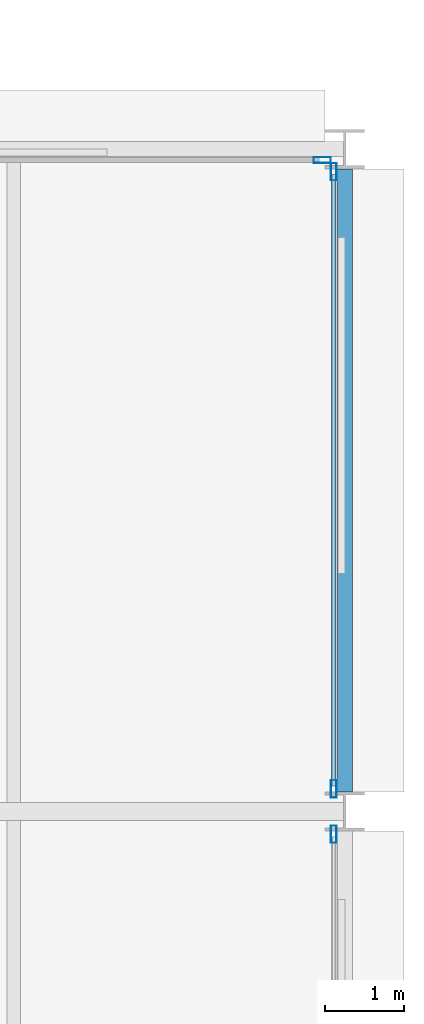
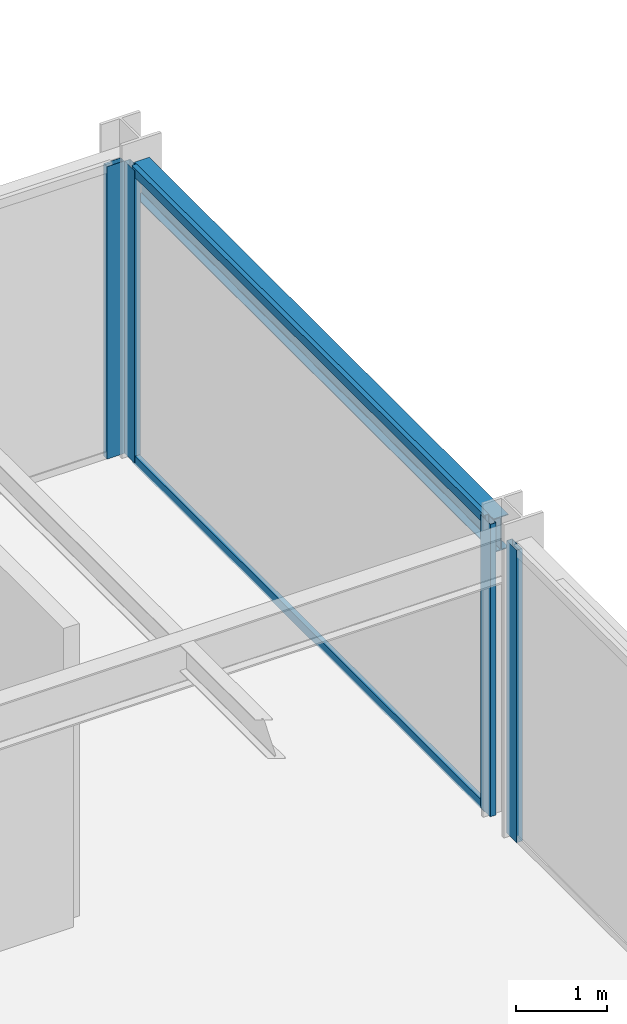
# One storey, part 13 of 25: 6 members, 1 beam, 3 elements without a shape of their own.
"""IFC4 building model written with IfcOpenShell, lengths in metres."""

from ifc_helpers import new_model, si_unit, direction, frame, origin, origin_2d, place, context, subcontext, project, spatial, hollow_rectangle, i_section, extrude, material, layer, layer_set, material_profile, profile_set, type_object, element, aggregate, save


model = new_model("IFC4")

# Units and contexts
model_context = context("Model", 3, precision=1e-05, world=origin(), true_north=direction((0.0, 1.0)))
body_context = subcontext(model_context, "Body", "Model", "MODEL_VIEW")
ifc_project = project(units=[si_unit("LENGTHUNIT", "METRE"), si_unit("AREAUNIT", "SQUARE_METRE"), si_unit("VOLUMEUNIT", "CUBIC_METRE"), si_unit("PLANEANGLEUNIT", "RADIAN"), si_unit("MASSUNIT", "GRAM", prefix="KILO")], contexts=[model_context])

# Site, building, storey
site_placement = place(None, origin())
site = spatial("IfcSite", under=ifc_project, at=site_placement, CompositionType="ELEMENT")
building_placement = place(site_placement, origin())
building = spatial("IfcBuilding", under=site, at=building_placement, Name="Nerrivon Quay Data Exchange", CompositionType="ELEMENT")
storey_placement = place(building_placement, frame((0.0, 0.0, 29.0)))
storey = spatial("IfcBuildingStorey", under=building, at=storey_placement, Name="L06", CompositionType="ELEMENT", Elevation=29.0)

# Beam
ifc_material_1 = material(Name="Steel Grade 350", Category="steel")
ifc_material_profile_1 = material_profile(ifc_material_1, i_section(OverallWidth=0.18994140625, OverallDepth=0.4541015625, WebThickness=0.008544921875, FlangeThickness=0.0126953125, FilletRadius=0.011474609375, at=origin_2d()), Name="460UB67.1")
ifc_profile_set_1 = profile_set([ifc_material_profile_1], Name="Steel Grade 350")
beam_type = type_object("IfcBeamType", Name="BM-SP1-460UB67", PredefinedType="SPANDREL", material=ifc_profile_set_1)
beam_placement = place(storey_placement, frame((50.39990234375, 17.050048828125, 3.697998046875), z_axis=(0.0, 1.0, 0.0), x_axis=(-1.0, 0.0, 0.0)))
element("IfcBeam", 1, at=beam_placement, inside=storey, type_object=beam_type, Name="L06 NS Girder X=50.4 (16.8..25.2)", PredefinedType="SPANDREL", context=body_context, shape_type="SweptSolid", body=[
    extrude(i_section(OverallWidth=0.18994140625, OverallDepth=0.4541015625, WebThickness=0.008544921875, FlangeThickness=0.0126953125, FilletRadius=0.011474609375, at=origin_2d()), origin(), (0.0, 0.0, 1.0), 7.89990234375),
])

# Curtain wall, member
ifc_material_2 = material(Name="Anodised aluminium 6063-T6", Category="aluminium")
ifc_layer = layer(ifc_material_2, 0.219970703125)
ifc_layer_set = layer_set([ifc_layer], Name="Anodised aluminium 6063-T6")
curtain_wall_type = type_object("IfcCurtainWallType", Name="CW-SYS-01", PredefinedType="NOTDEFINED", material=ifc_layer_set)
curtain_wall_1_placement = place(storey_placement, origin())
curtain_wall_1 = element("IfcCurtainWall", 2, at=curtain_wall_1_placement, inside=storey, type_object=curtain_wall_type, Name="L06 Unitised Curtain Wall 30", PredefinedType="NOTDEFINED")
ifc_material_profile_2 = material_profile(ifc_material_2, hollow_rectangle(XDim=0.074951171875, YDim=0.219970703125, WallThickness=0.00390625, at=origin_2d()), Name="ALU-MULL-220x75")
ifc_profile_set_2 = profile_set([ifc_material_profile_2], Name="Anodised aluminium 6063-T6")
member_type_1 = type_object("IfcMemberType", Name="CWM-220x75", PredefinedType="MULLION", material=ifc_profile_set_2)
member_1_placement = place(storey_placement, frame((50.112548828125, 25.06005859375, 0.0), z_axis=(0.0, 0.0, 1.0), x_axis=(0.0, 1.0, 0.0)))
member_1 = element("IfcMember", 3, at=member_1_placement, type_object=member_type_1, Name="CW01 mullion 2", PredefinedType="MULLION", context=body_context, shape_type="SweptSolid", body=[
    extrude(hollow_rectangle(XDim=0.074951171875, YDim=0.219970703125, WallThickness=0.00390625, at=origin_2d()), origin(), (0.0, 0.0, 1.0), 3.925048828125),
])
aggregate(curtain_wall_1, [member_1])

# Curtain wall, members
curtain_wall_2_placement = place(storey_placement, origin())
curtain_wall_2 = element("IfcCurtainWall", 4, at=curtain_wall_2_placement, inside=storey, type_object=curtain_wall_type, Name="L06 Unitised Curtain Wall 31", PredefinedType="NOTDEFINED")
member_2_placement = place(storey_placement, frame((50.260009765625, 24.91259765625, 0.0), z_axis=(0.0, 0.0, 1.0), x_axis=(1.0, 0.0, 0.0)))
member_2 = element("IfcMember", 5, at=member_2_placement, type_object=member_type_1, Name="CW01 mullion 1", PredefinedType="MULLION", context=body_context, shape_type="SweptSolid", body=[
    extrude(hollow_rectangle(XDim=0.074951171875, YDim=0.219970703125, WallThickness=0.00390625, at=origin_2d()), origin(), (0.0, 0.0, 1.0), 3.925048828125),
])
member_3_placement = place(storey_placement, frame((50.260009765625, 17.08740234375, 0.0), z_axis=(0.0, 0.0, 1.0), x_axis=(1.0, 0.0, 0.0)))
member_3 = element("IfcMember", 6, at=member_3_placement, type_object=member_type_1, Name="CW01 mullion 2", PredefinedType="MULLION", context=body_context, shape_type="SweptSolid", body=[
    extrude(hollow_rectangle(XDim=0.074951171875, YDim=0.219970703125, WallThickness=0.00390625, at=origin_2d()), origin(), (0.0, 0.0, 1.0), 3.925048828125),
])

# Curtain wall, member
curtain_wall_3_placement = place(storey_placement, origin())
curtain_wall_3 = element("IfcCurtainWall", 7, at=curtain_wall_3_placement, inside=storey, type_object=curtain_wall_type, Name="L06 Unitised Curtain Wall 32", PredefinedType="NOTDEFINED")
member_4_placement = place(storey_placement, frame((50.260009765625, 16.512451171875, 0.0), z_axis=(0.0, 0.0, 1.0), x_axis=(1.0, 0.0, 0.0)))
member_4 = element("IfcMember", 8, at=member_4_placement, type_object=member_type_1, Name="CW01 mullion 1", PredefinedType="MULLION", context=body_context, shape_type="SweptSolid", body=[
    extrude(hollow_rectangle(XDim=0.074951171875, YDim=0.219970703125, WallThickness=0.00390625, at=origin_2d()), origin(), (0.0, 0.0, 1.0), 3.925048828125),
])
aggregate(curtain_wall_3, [member_4])

# Member
ifc_material_profile_3 = material_profile(ifc_material_2, hollow_rectangle(XDim=0.06005859375, YDim=0.1201171875, WallThickness=0.003173828125, at=origin_2d()), Name="ALU-TRAN-120x60")
ifc_profile_set_3 = profile_set([ifc_material_profile_3], Name="Anodised aluminium 6063-T6")
member_type_2 = type_object("IfcMemberType", Name="CWT-120x60", PredefinedType="USERDEFINED", material=ifc_profile_set_3)
member_5_placement = place(storey_placement, frame((50.260009765625, 24.875, 0.032470703125), z_axis=(0.0, -1.0, 0.0), x_axis=(1.0, 0.0, 0.0)))
member_5 = element("IfcMember", 9, at=member_5_placement, type_object=member_type_2, Name="CW01 transom 1.1", ObjectType="TRANSOM", PredefinedType="USERDEFINED", context=body_context, shape_type="SweptSolid", body=[
    extrude(hollow_rectangle(XDim=0.06005859375, YDim=0.1201171875, WallThickness=0.003173828125, at=origin_2d()), origin(), (0.0, 0.0, 1.0), 7.75),
])

member_6_placement = place(storey_placement, frame((50.260009765625, 24.875, 3.892578125), z_axis=(0.0, -1.0, 0.0), x_axis=(1.0, 0.0, 0.0)))
member_6 = element("IfcMember", 10, at=member_6_placement, type_object=member_type_2, Name="CW01 transom 1.2", ObjectType="TRANSOM", PredefinedType="USERDEFINED", context=body_context, shape_type="SweptSolid", body=[
    extrude(hollow_rectangle(XDim=0.06005859375, YDim=0.1201171875, WallThickness=0.003173828125, at=origin_2d()), origin(), (0.0, 0.0, 1.0), 7.75),
])

aggregate(curtain_wall_2, [member_2, member_3, member_5, member_6])

save(model, "model.ifc")
